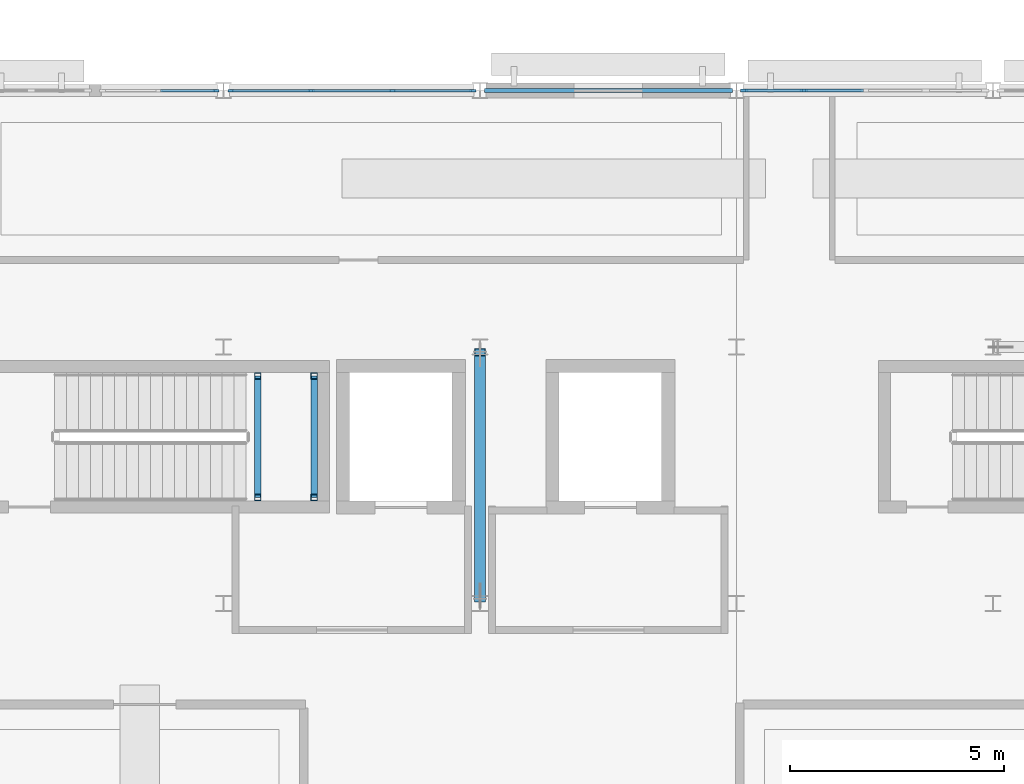
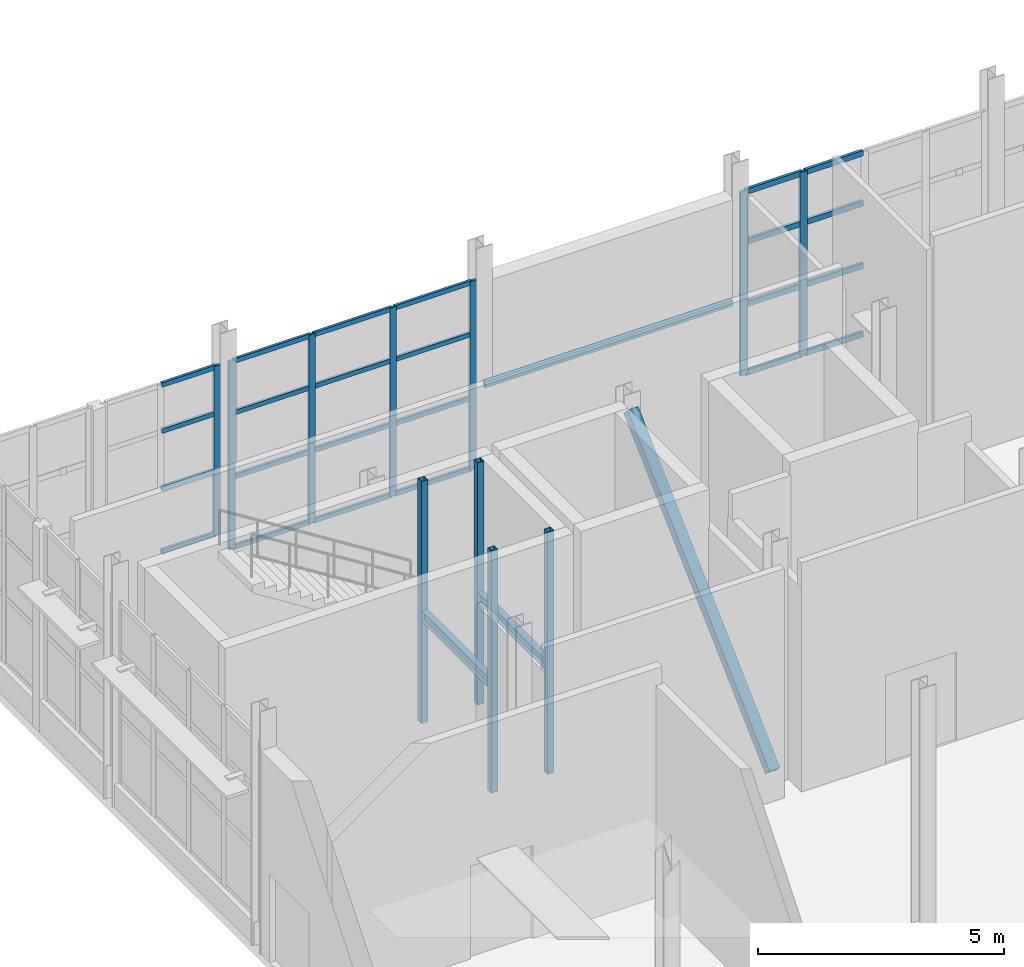
# One storey, part 63 of 120: 36 members, 3 beams, 3 elements without a shape of their own.
"""IFC4 building model written with IfcOpenShell, lengths in metres."""

from ifc_helpers import new_model, si_unit, direction, frame, origin, origin_2d, place, context, subcontext, project, spatial, rectangle, hollow_rectangle, i_section, extrude, material, material_profile, profile_set, type_object, element, aggregate, save


model = new_model("IFC4")

# Units and contexts
model_context = context("Model", 3, precision=1e-05, world=origin(), true_north=direction((0.0, 1.0)))
body_context = subcontext(model_context, "Body", "Model", "MODEL_VIEW")
ifc_project = project(units=[si_unit("LENGTHUNIT", "METRE"), si_unit("AREAUNIT", "SQUARE_METRE"), si_unit("VOLUMEUNIT", "CUBIC_METRE"), si_unit("PLANEANGLEUNIT", "RADIAN"), si_unit("MASSUNIT", "GRAM", prefix="KILO")], contexts=[model_context])

# Site, building, storey
site_placement = place(None, origin())
site = spatial("IfcSite", under=ifc_project, at=site_placement, CompositionType="ELEMENT")
building_placement = place(site_placement, origin())
building = spatial("IfcBuilding", under=site, at=building_placement, Name="Siltcreek Boulevard Central Fire Station", CompositionType="ELEMENT")
storey_placement = place(building_placement, origin())
storey = spatial("IfcBuildingStorey", under=building, at=storey_placement, Name="L01", CompositionType="ELEMENT", Elevation=0.0)

# Members
ifc_material_1 = material(Name="Structural steel ASTM A500 GrC", Category="steel")
ifc_material_profile_1 = material_profile(ifc_material_1, hollow_rectangle(XDim=0.14990234375, YDim=0.14990234375, WallThickness=0.008056640625, at=origin_2d()), Name="HSS150X150X8.0")
ifc_profile_set_1 = profile_set([ifc_material_profile_1], Name="Structural steel ASTM A500 GrC")
member_type_1 = type_object("IfcMemberType", Name="BR_HSS150_8", PredefinedType="BRACE", material=ifc_profile_set_1)
for number, where, z_axis, x_axis, name in (
    (1, (131.0, 102.679931640625, 0.0), (0.0, 0.0, 1.0), (1.0, 0.0, 0.0), "L01 ST-V5A stair landing corner post SW"),
    (2, (131.0, 105.52001953125, 0.0), (0.0, 0.0, 1.0), (1.0, 0.0, 0.0), "L01 ST-V5A stair landing corner post NW"),
    (3, (132.320068359375, 102.679931640625, 0.0), (0.0, 0.0, 1.0), (1.0, 0.0, 0.0), "L01 ST-V5A stair landing corner post SE"),
    (4, (132.320068359375, 105.52001953125, 0.0), (0.0, 0.0, 1.0), (1.0, 0.0, 0.0), "L01 ST-V5A stair landing corner post NE"),
):
    element("IfcMember", number, at=place(storey_placement, frame(where, z_axis=z_axis, x_axis=x_axis)), inside=storey, type_object=member_type_1, Name=name, PredefinedType="BRACE", context=body_context, shape_type="SweptSolid", body=[
        extrude(hollow_rectangle(XDim=0.14990234375, YDim=0.14990234375, WallThickness=0.008056640625, at=origin_2d()), origin(), (0.0, 0.0, 1.0), 6.0),
    ])
ifc_material_profile_2 = material_profile(ifc_material_1, hollow_rectangle(XDim=0.25, YDim=0.25, WallThickness=0.009521484375, at=origin_2d()), Name="HSS250X250X9.5")
ifc_profile_set_2 = profile_set([ifc_material_profile_2], Name="Structural steel ASTM A500 GrC")
member_type_2 = type_object("IfcMemberType", Name="BR_HSS250_9", PredefinedType="BRACE", material=ifc_profile_set_2)
member_1_placement = place(storey_placement, frame((136.199951171875, 100.320068359375, 0.10009765625), z_axis=(0.0, 0.726386990368, 0.687285923197), x_axis=(-1.0, 0.0, 0.0)))
element("IfcMember", 5, at=member_1_placement, inside=storey, type_object=member_type_2, Name="L01 buckling-restrained brace BR-032", PredefinedType="BRACE", context=body_context, shape_type="SweptSolid", body=[
    extrude(hollow_rectangle(XDim=0.25, YDim=0.25, WallThickness=0.009521484375, at=origin_2d()), origin(), (0.0, 0.0, 1.0), 7.9296875),
])

# Curtain wall, member
ifc_material_2 = material(Name="Anodized aluminum and low-E insulated glazing", Category="aluminium")
curtain_wall_type_1 = type_object("IfcCurtainWallType", Name="CW_SYS_18", PredefinedType="USERDEFINED", material=ifc_material_2)
curtain_wall_1_placement = place(storey_placement, origin())
curtain_wall_1 = element("IfcCurtainWall", 6, at=curtain_wall_1_placement, inside=storey, type_object=curtain_wall_type_1, Name="L01 V5 unitised curtain wall CW-107", ObjectType="CURTAIN WALL", PredefinedType="USERDEFINED")
ifc_material_3 = material(Name="Anodized 6063-T6 aluminum framing", Category="aluminium")
ifc_material_profile_3 = material_profile(ifc_material_3, rectangle(XDim=0.06005859375, YDim=0.14990234375, at=origin_2d()), Name="MULL60X150")
ifc_profile_set_3 = profile_set([ifc_material_profile_3], Name="Anodized 6063-T6 aluminum framing")
member_type_3 = type_object("IfcMemberType", Name="CWM_60X150", PredefinedType="MULLION", material=ifc_profile_set_3)
member_2_placement = place(storey_placement, frame((130.02490234375, 112.199951171875, 0.919921875), z_axis=(0.0, 0.0, 1.0), x_axis=(0.0, -1.0, 0.0)))
member_2 = element("IfcMember", 7, at=member_2_placement, type_object=member_type_3, Name="CW-107 mullion 1", PredefinedType="MULLION", context=body_context, shape_type="SweptSolid", body=[
    extrude(rectangle(XDim=0.06005859375, YDim=0.14990234375, at=origin_2d()), origin(), (0.0, 0.0, 1.0), 4.193115234375),
])

# Curtain wall, members
curtain_wall_type_2 = type_object("IfcCurtainWallType", Name="CW_SYS_20", PredefinedType="USERDEFINED", material=ifc_material_2)
curtain_wall_2_placement = place(storey_placement, origin())
curtain_wall_2 = element("IfcCurtainWall", 8, at=curtain_wall_2_placement, inside=storey, type_object=curtain_wall_type_2, Name="L01 V5 unitised curtain wall CW-109", ObjectType="CURTAIN WALL", PredefinedType="USERDEFINED")
member_3_placement = place(storey_placement, frame((136.02490234375, 112.199951171875, 0.43994140625), z_axis=(0.0, 0.0, 1.0), x_axis=(0.0, -1.0, 0.0)))
member_3 = element("IfcMember", 9, at=member_3_placement, type_object=member_type_3, Name="CW-109 mullion 1", PredefinedType="MULLION", context=body_context, shape_type="SweptSolid", body=[
    extrude(rectangle(XDim=0.06005859375, YDim=0.14990234375, at=origin_2d()), origin(), (0.0, 0.0, 1.0), 4.673095703125),
])
member_4_placement = place(storey_placement, frame((134.151611328125, 112.199951171875, 0.43994140625), z_axis=(0.0, 0.0, 1.0), x_axis=(0.0, -1.0, 0.0)))
member_4 = element("IfcMember", 10, at=member_4_placement, type_object=member_type_3, Name="CW-109 mullion 2", PredefinedType="MULLION", context=body_context, shape_type="SweptSolid", body=[
    extrude(rectangle(XDim=0.06005859375, YDim=0.14990234375, at=origin_2d()), origin(), (0.0, 0.0, 1.0), 4.673095703125),
])
member_5_placement = place(storey_placement, frame((132.248291015625, 112.199951171875, 0.43994140625), z_axis=(0.0, 0.0, 1.0), x_axis=(0.0, -1.0, 0.0)))
member_5 = element("IfcMember", 11, at=member_5_placement, type_object=member_type_3, Name="CW-109 mullion 3", PredefinedType="MULLION", context=body_context, shape_type="SweptSolid", body=[
    extrude(rectangle(XDim=0.06005859375, YDim=0.14990234375, at=origin_2d()), origin(), (0.0, 0.0, 1.0), 4.673095703125),
])
member_6_placement = place(storey_placement, frame((130.375, 112.199951171875, 0.43994140625), z_axis=(0.0, 0.0, 1.0), x_axis=(0.0, -1.0, 0.0)))
member_6 = element("IfcMember", 12, at=member_6_placement, type_object=member_type_3, Name="CW-109 mullion 4", PredefinedType="MULLION", context=body_context, shape_type="SweptSolid", body=[
    extrude(rectangle(XDim=0.06005859375, YDim=0.14990234375, at=origin_2d()), origin(), (0.0, 0.0, 1.0), 4.673095703125),
])

curtain_wall_type_3 = type_object("IfcCurtainWallType", Name="CW_SYS_21", PredefinedType="USERDEFINED", material=ifc_material_2)
curtain_wall_3_placement = place(storey_placement, origin())
curtain_wall_3 = element("IfcCurtainWall", 13, at=curtain_wall_3_placement, inside=storey, type_object=curtain_wall_type_3, Name="L01 V5 unitised curtain wall CW-110", ObjectType="CURTAIN WALL", PredefinedType="USERDEFINED")
ifc_material_profile_4 = material_profile(ifc_material_3, rectangle(XDim=0.06494140625, YDim=0.175048828125, at=origin_2d()), Name="MULL65X175")
ifc_profile_set_4 = profile_set([ifc_material_profile_4], Name="Anodized 6063-T6 aluminum framing")
member_type_4 = type_object("IfcMemberType", Name="CWM_65X175", PredefinedType="MULLION", material=ifc_profile_set_4)
member_7_placement = place(storey_placement, frame((143.7724609375, 112.199951171875, 0.56005859375), z_axis=(0.0, 0.0, 1.0), x_axis=(0.0, -1.0, 0.0)))
member_7 = element("IfcMember", 14, at=member_7_placement, type_object=member_type_4, Name="CW-110 mullion 4", PredefinedType="MULLION", context=body_context, shape_type="SweptSolid", body=[
    extrude(rectangle(XDim=0.06494140625, YDim=0.175048828125, at=origin_2d()), origin(), (0.0, 0.0, 1.0), 4.552978515625),
])
member_8_placement = place(storey_placement, frame((142.37744140625, 112.199951171875, 0.56005859375), z_axis=(0.0, 0.0, 1.0), x_axis=(0.0, -1.0, 0.0)))
member_8 = element("IfcMember", 15, at=member_8_placement, type_object=member_type_4, Name="CW-110 mullion 5", PredefinedType="MULLION", context=body_context, shape_type="SweptSolid", body=[
    extrude(rectangle(XDim=0.06494140625, YDim=0.175048828125, at=origin_2d()), origin(), (0.0, 0.0, 1.0), 4.552978515625),
])

# Member
ifc_material_profile_5 = material_profile(ifc_material_3, rectangle(XDim=0.06005859375, YDim=0.114990234375, at=origin_2d()), Name="TRAN60X115")
ifc_profile_set_5 = profile_set([ifc_material_profile_5], Name="Anodized 6063-T6 aluminum framing")
member_type_5 = type_object("IfcMemberType", Name="CWT_60X115", PredefinedType="USERDEFINED", material=ifc_profile_set_5)
member_9_placement = place(storey_placement, frame((129.9951171875, 112.199951171875, 0.949951171875), z_axis=(-1.0, 0.0, 0.0), x_axis=(0.0, -1.0, 0.0)))
member_9 = element("IfcMember", 16, at=member_9_placement, type_object=member_type_5, Name="CW-107 transom 1.1", ObjectType="TRANSOM", PredefinedType="USERDEFINED", context=body_context, shape_type="SweptSolid", body=[
    extrude(rectangle(XDim=0.06005859375, YDim=0.114990234375, at=origin_2d()), origin(), (0.0, 0.0, 1.0), 1.267578125),
])

member_10_placement = place(storey_placement, frame((129.9951171875, 112.199951171875, 2.51318359375), z_axis=(-1.0, 0.0, 0.0), x_axis=(0.0, -1.0, 0.0)))
member_10 = element("IfcMember", 17, at=member_10_placement, type_object=member_type_5, Name="CW-107 transom 1.2", ObjectType="TRANSOM", PredefinedType="USERDEFINED", context=body_context, shape_type="SweptSolid", body=[
    extrude(rectangle(XDim=0.06005859375, YDim=0.114990234375, at=origin_2d()), origin(), (0.0, 0.0, 1.0), 1.267578125),
])

member_11_placement = place(storey_placement, frame((129.9951171875, 112.199951171875, 3.93896484375), z_axis=(-1.0, 0.0, 0.0), x_axis=(0.0, -1.0, 0.0)))
member_11 = element("IfcMember", 18, at=member_11_placement, type_object=member_type_5, Name="CW-107 transom 1.3", ObjectType="TRANSOM", PredefinedType="USERDEFINED", context=body_context, shape_type="SweptSolid", body=[
    extrude(rectangle(XDim=0.06005859375, YDim=0.114990234375, at=origin_2d()), origin(), (0.0, 0.0, 1.0), 1.267578125),
])

member_12_placement = place(storey_placement, frame((129.9951171875, 112.199951171875, 5.0830078125), z_axis=(-1.0, 0.0, 0.0), x_axis=(0.0, -1.0, 0.0)))
member_12 = element("IfcMember", 19, at=member_12_placement, type_object=member_type_5, Name="CW-107 transom 1.4", ObjectType="TRANSOM", PredefinedType="USERDEFINED", context=body_context, shape_type="SweptSolid", body=[
    extrude(rectangle(XDim=0.06005859375, YDim=0.114990234375, at=origin_2d()), origin(), (0.0, 0.0, 1.0), 1.267578125),
])

aggregate(curtain_wall_1, [member_2, member_9, member_10, member_11, member_12])

member_13_placement = place(storey_placement, frame((135.9951171875, 112.199951171875, 0.469970703125), z_axis=(-1.0, 0.0, 0.0), x_axis=(0.0, -1.0, 0.0)))
member_13 = element("IfcMember", 20, at=member_13_placement, type_object=member_type_5, Name="CW-109 transom 1.1", ObjectType="TRANSOM", PredefinedType="USERDEFINED", context=body_context, shape_type="SweptSolid", body=[
    extrude(rectangle(XDim=0.06005859375, YDim=0.114990234375, at=origin_2d()), origin(), (0.0, 0.0, 1.0), 1.8134765625),
])

member_14_placement = place(storey_placement, frame((135.9951171875, 112.199951171875, 2.2158203125), z_axis=(-1.0, 0.0, 0.0), x_axis=(0.0, -1.0, 0.0)))
member_14 = element("IfcMember", 21, at=member_14_placement, type_object=member_type_5, Name="CW-109 transom 1.2", ObjectType="TRANSOM", PredefinedType="USERDEFINED", context=body_context, shape_type="SweptSolid", body=[
    extrude(rectangle(XDim=0.06005859375, YDim=0.114990234375, at=origin_2d()), origin(), (0.0, 0.0, 1.0), 1.8134765625),
])

member_15_placement = place(storey_placement, frame((135.9951171875, 112.199951171875, 3.8046875), z_axis=(-1.0, 0.0, 0.0), x_axis=(0.0, -1.0, 0.0)))
member_15 = element("IfcMember", 22, at=member_15_placement, type_object=member_type_5, Name="CW-109 transom 1.3", ObjectType="TRANSOM", PredefinedType="USERDEFINED", context=body_context, shape_type="SweptSolid", body=[
    extrude(rectangle(XDim=0.06005859375, YDim=0.114990234375, at=origin_2d()), origin(), (0.0, 0.0, 1.0), 1.8134765625),
])

member_16_placement = place(storey_placement, frame((135.9951171875, 112.199951171875, 5.0830078125), z_axis=(-1.0, 0.0, 0.0), x_axis=(0.0, -1.0, 0.0)))
member_16 = element("IfcMember", 23, at=member_16_placement, type_object=member_type_5, Name="CW-109 transom 1.4", ObjectType="TRANSOM", PredefinedType="USERDEFINED", context=body_context, shape_type="SweptSolid", body=[
    extrude(rectangle(XDim=0.06005859375, YDim=0.114990234375, at=origin_2d()), origin(), (0.0, 0.0, 1.0), 1.8134765625),
])

member_17_placement = place(storey_placement, frame((134.12158203125, 112.199951171875, 0.469970703125), z_axis=(-1.0, 0.0, 0.0), x_axis=(0.0, -1.0, 0.0)))
member_17 = element("IfcMember", 24, at=member_17_placement, type_object=member_type_5, Name="CW-109 transom 2.1", ObjectType="TRANSOM", PredefinedType="USERDEFINED", context=body_context, shape_type="SweptSolid", body=[
    extrude(rectangle(XDim=0.06005859375, YDim=0.114990234375, at=origin_2d()), origin(), (0.0, 0.0, 1.0), 1.84326171875),
])

member_18_placement = place(storey_placement, frame((134.12158203125, 112.199951171875, 2.2158203125), z_axis=(-1.0, 0.0, 0.0), x_axis=(0.0, -1.0, 0.0)))
member_18 = element("IfcMember", 25, at=member_18_placement, type_object=member_type_5, Name="CW-109 transom 2.2", ObjectType="TRANSOM", PredefinedType="USERDEFINED", context=body_context, shape_type="SweptSolid", body=[
    extrude(rectangle(XDim=0.06005859375, YDim=0.114990234375, at=origin_2d()), origin(), (0.0, 0.0, 1.0), 1.84326171875),
])

member_19_placement = place(storey_placement, frame((134.12158203125, 112.199951171875, 3.8046875), z_axis=(-1.0, 0.0, 0.0), x_axis=(0.0, -1.0, 0.0)))
member_19 = element("IfcMember", 26, at=member_19_placement, type_object=member_type_5, Name="CW-109 transom 2.3", ObjectType="TRANSOM", PredefinedType="USERDEFINED", context=body_context, shape_type="SweptSolid", body=[
    extrude(rectangle(XDim=0.06005859375, YDim=0.114990234375, at=origin_2d()), origin(), (0.0, 0.0, 1.0), 1.84326171875),
])

member_20_placement = place(storey_placement, frame((134.12158203125, 112.199951171875, 5.0830078125), z_axis=(-1.0, 0.0, 0.0), x_axis=(0.0, -1.0, 0.0)))
member_20 = element("IfcMember", 27, at=member_20_placement, type_object=member_type_5, Name="CW-109 transom 2.4", ObjectType="TRANSOM", PredefinedType="USERDEFINED", context=body_context, shape_type="SweptSolid", body=[
    extrude(rectangle(XDim=0.06005859375, YDim=0.114990234375, at=origin_2d()), origin(), (0.0, 0.0, 1.0), 1.84326171875),
])

member_21_placement = place(storey_placement, frame((132.21826171875, 112.199951171875, 0.469970703125), z_axis=(-1.0, 0.0, 0.0), x_axis=(0.0, -1.0, 0.0)))
member_21 = element("IfcMember", 28, at=member_21_placement, type_object=member_type_5, Name="CW-109 transom 3.1", ObjectType="TRANSOM", PredefinedType="USERDEFINED", context=body_context, shape_type="SweptSolid", body=[
    extrude(rectangle(XDim=0.06005859375, YDim=0.114990234375, at=origin_2d()), origin(), (0.0, 0.0, 1.0), 1.813232421875),
])

member_22_placement = place(storey_placement, frame((132.21826171875, 112.199951171875, 2.2158203125), z_axis=(-1.0, 0.0, 0.0), x_axis=(0.0, -1.0, 0.0)))
member_22 = element("IfcMember", 29, at=member_22_placement, type_object=member_type_5, Name="CW-109 transom 3.2", ObjectType="TRANSOM", PredefinedType="USERDEFINED", context=body_context, shape_type="SweptSolid", body=[
    extrude(rectangle(XDim=0.06005859375, YDim=0.114990234375, at=origin_2d()), origin(), (0.0, 0.0, 1.0), 1.813232421875),
])

member_23_placement = place(storey_placement, frame((132.21826171875, 112.199951171875, 3.8046875), z_axis=(-1.0, 0.0, 0.0), x_axis=(0.0, -1.0, 0.0)))
member_23 = element("IfcMember", 30, at=member_23_placement, type_object=member_type_5, Name="CW-109 transom 3.3", ObjectType="TRANSOM", PredefinedType="USERDEFINED", context=body_context, shape_type="SweptSolid", body=[
    extrude(rectangle(XDim=0.06005859375, YDim=0.114990234375, at=origin_2d()), origin(), (0.0, 0.0, 1.0), 1.813232421875),
])

member_24_placement = place(storey_placement, frame((132.21826171875, 112.199951171875, 5.0830078125), z_axis=(-1.0, 0.0, 0.0), x_axis=(0.0, -1.0, 0.0)))
member_24 = element("IfcMember", 31, at=member_24_placement, type_object=member_type_5, Name="CW-109 transom 3.4", ObjectType="TRANSOM", PredefinedType="USERDEFINED", context=body_context, shape_type="SweptSolid", body=[
    extrude(rectangle(XDim=0.06005859375, YDim=0.114990234375, at=origin_2d()), origin(), (0.0, 0.0, 1.0), 1.813232421875),
])

aggregate(curtain_wall_2, [member_3, member_4, member_5, member_6, member_13, member_14, member_15, member_16, member_17, member_18, member_19, member_20, member_21, member_22, member_23, member_24])

ifc_material_profile_6 = material_profile(ifc_material_3, rectangle(XDim=0.06494140625, YDim=0.135009765625, at=origin_2d()), Name="TRAN65X135")
ifc_profile_set_6 = profile_set([ifc_material_profile_6], Name="Anodized 6063-T6 aluminum framing")
member_type_6 = type_object("IfcMemberType", Name="CWT_65X135", PredefinedType="USERDEFINED", material=ifc_profile_set_6)
member_25_placement = place(storey_placement, frame((145.16748046875, 112.199951171875, 0.592529296875), z_axis=(-1.0, 0.0, 0.0), x_axis=(0.0, -1.0, 0.0)))
member_25 = element("IfcMember", 32, at=member_25_placement, type_object=member_type_6, Name="CW-110 transom 3.1", ObjectType="TRANSOM", PredefinedType="USERDEFINED", context=body_context, shape_type="SweptSolid", body=[
    extrude(rectangle(XDim=0.06494140625, YDim=0.135009765625, at=origin_2d()), origin(), (0.0, 0.0, 1.0), 1.362548828125),
])

member_26_placement = place(storey_placement, frame((145.16748046875, 112.199951171875, 2.2900390625), z_axis=(-1.0, 0.0, 0.0), x_axis=(0.0, -1.0, 0.0)))
member_26 = element("IfcMember", 33, at=member_26_placement, type_object=member_type_6, Name="CW-110 transom 3.2", ObjectType="TRANSOM", PredefinedType="USERDEFINED", context=body_context, shape_type="SweptSolid", body=[
    extrude(rectangle(XDim=0.06494140625, YDim=0.135009765625, at=origin_2d()), origin(), (0.0, 0.0, 1.0), 1.362548828125),
])

member_27_placement = place(storey_placement, frame((145.16748046875, 112.199951171875, 3.838134765625), z_axis=(-1.0, 0.0, 0.0), x_axis=(0.0, -1.0, 0.0)))
member_27 = element("IfcMember", 34, at=member_27_placement, type_object=member_type_6, Name="CW-110 transom 3.3", ObjectType="TRANSOM", PredefinedType="USERDEFINED", context=body_context, shape_type="SweptSolid", body=[
    extrude(rectangle(XDim=0.06494140625, YDim=0.135009765625, at=origin_2d()), origin(), (0.0, 0.0, 1.0), 1.362548828125),
])

member_28_placement = place(storey_placement, frame((145.16748046875, 112.199951171875, 5.08056640625), z_axis=(-1.0, 0.0, 0.0), x_axis=(0.0, -1.0, 0.0)))
member_28 = element("IfcMember", 35, at=member_28_placement, type_object=member_type_6, Name="CW-110 transom 3.4", ObjectType="TRANSOM", PredefinedType="USERDEFINED", context=body_context, shape_type="SweptSolid", body=[
    extrude(rectangle(XDim=0.06494140625, YDim=0.135009765625, at=origin_2d()), origin(), (0.0, 0.0, 1.0), 1.362548828125),
])

member_29_placement = place(storey_placement, frame((143.739990234375, 112.199951171875, 0.592529296875), z_axis=(-1.0, 0.0, 0.0), x_axis=(0.0, -1.0, 0.0)))
member_29 = element("IfcMember", 36, at=member_29_placement, type_object=member_type_6, Name="CW-110 transom 4.1", ObjectType="TRANSOM", PredefinedType="USERDEFINED", context=body_context, shape_type="SweptSolid", body=[
    extrude(rectangle(XDim=0.06494140625, YDim=0.135009765625, at=origin_2d()), origin(), (0.0, 0.0, 1.0), 1.330078125),
])

member_30_placement = place(storey_placement, frame((143.739990234375, 112.199951171875, 2.2900390625), z_axis=(-1.0, 0.0, 0.0), x_axis=(0.0, -1.0, 0.0)))
member_30 = element("IfcMember", 37, at=member_30_placement, type_object=member_type_6, Name="CW-110 transom 4.2", ObjectType="TRANSOM", PredefinedType="USERDEFINED", context=body_context, shape_type="SweptSolid", body=[
    extrude(rectangle(XDim=0.06494140625, YDim=0.135009765625, at=origin_2d()), origin(), (0.0, 0.0, 1.0), 1.330078125),
])

member_31_placement = place(storey_placement, frame((143.739990234375, 112.199951171875, 3.838134765625), z_axis=(-1.0, 0.0, 0.0), x_axis=(0.0, -1.0, 0.0)))
member_31 = element("IfcMember", 38, at=member_31_placement, type_object=member_type_6, Name="CW-110 transom 4.3", ObjectType="TRANSOM", PredefinedType="USERDEFINED", context=body_context, shape_type="SweptSolid", body=[
    extrude(rectangle(XDim=0.06494140625, YDim=0.135009765625, at=origin_2d()), origin(), (0.0, 0.0, 1.0), 1.330078125),
])

member_32_placement = place(storey_placement, frame((143.739990234375, 112.199951171875, 5.08056640625), z_axis=(-1.0, 0.0, 0.0), x_axis=(0.0, -1.0, 0.0)))
member_32 = element("IfcMember", 39, at=member_32_placement, type_object=member_type_6, Name="CW-110 transom 4.4", ObjectType="TRANSOM", PredefinedType="USERDEFINED", context=body_context, shape_type="SweptSolid", body=[
    extrude(rectangle(XDim=0.06494140625, YDim=0.135009765625, at=origin_2d()), origin(), (0.0, 0.0, 1.0), 1.330078125),
])

aggregate(curtain_wall_3, [member_7, member_8, member_25, member_26, member_27, member_28, member_29, member_30, member_31, member_32])

# Beams
ifc_material_4 = material(Name="Structural steel ASTM A992 Gr50", Category="steel")
ifc_material_profile_7 = material_profile(ifc_material_4, i_section(OverallWidth=0.14697265625, OverallDepth=0.261962890625, WebThickness=0.006591796875, FlangeThickness=0.01123046875, at=origin_2d()), Name="W250X39")
ifc_profile_set_7 = profile_set([ifc_material_profile_7], Name="Structural steel ASTM A992 Gr50")
beam_type_1 = type_object("IfcBeamType", Name="JST_W250X39", PredefinedType="JOIST", material=ifc_profile_set_7)
for number, where, z_axis, x_axis, name in (
    (40, (131.0, 102.679931640625, 2.6689453125), (0.0, 1.0, 0.0), (-1.0, 0.0, 0.0), "L01 ST-V5A stair landing bearer MIDW"),
    (41, (132.320068359375, 102.679931640625, 2.6689453125), (0.0, 1.0, 0.0), (-1.0, 0.0, 0.0), "L01 ST-V5A stair landing bearer MIDE"),
):
    element("IfcBeam", number, at=place(storey_placement, frame(where, z_axis=z_axis, x_axis=x_axis)), inside=storey, type_object=beam_type_1, Name=name, PredefinedType="JOIST", context=body_context, shape_type="SweptSolid", body=[
        extrude(i_section(OverallWidth=0.14697265625, OverallDepth=0.261962890625, WebThickness=0.006591796875, FlangeThickness=0.01123046875, at=origin_2d()), origin(), (0.0, 0.0, 1.0), 2.840087890625),
    ])
ifc_material_profile_8 = material_profile(ifc_material_1, hollow_rectangle(XDim=0.10009765625, YDim=0.14990234375, WallThickness=0.00634765625, at=origin_2d()), Name="HSS150X100X6.4")
ifc_profile_set_8 = profile_set([ifc_material_profile_8], Name="Structural steel ASTM A500 GrC")
beam_type_2 = type_object("IfcBeamType", Name="LIN_HSS150X100", PredefinedType="LINTEL", material=ifc_profile_set_8)
beam_placement = place(storey_placement, frame((142.10009765625, 112.199951171875, 2.449951171875), z_axis=(-1.0, 0.0, 0.0), x_axis=(0.0, -1.0, 0.0)))
element("IfcBeam", 42, at=beam_placement, inside=storey, type_object=beam_type_2, Name="Exterior window steel lintel WLN-43", PredefinedType="LINTEL", context=body_context, shape_type="SweptSolid", body=[
    extrude(hollow_rectangle(XDim=0.10009765625, YDim=0.14990234375, WallThickness=0.00634765625, at=origin_2d()), origin(), (0.0, 0.0, 1.0), 5.800048828125),
])

save(model, "model.ifc")
